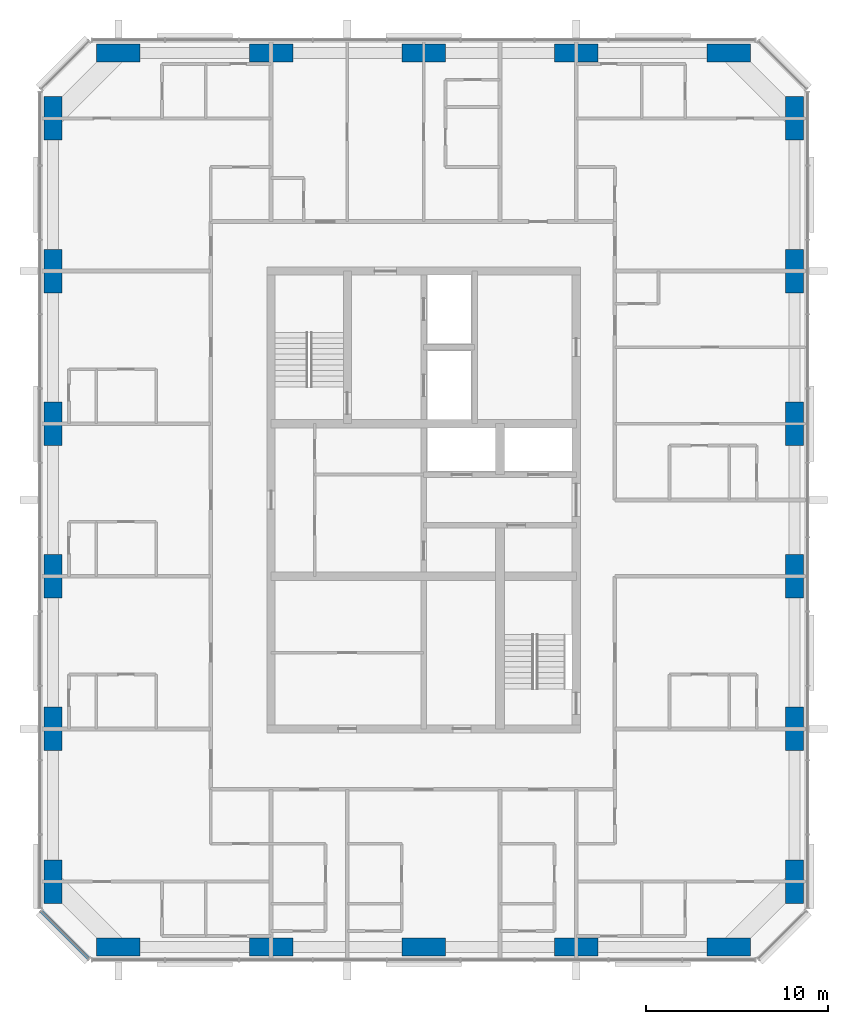
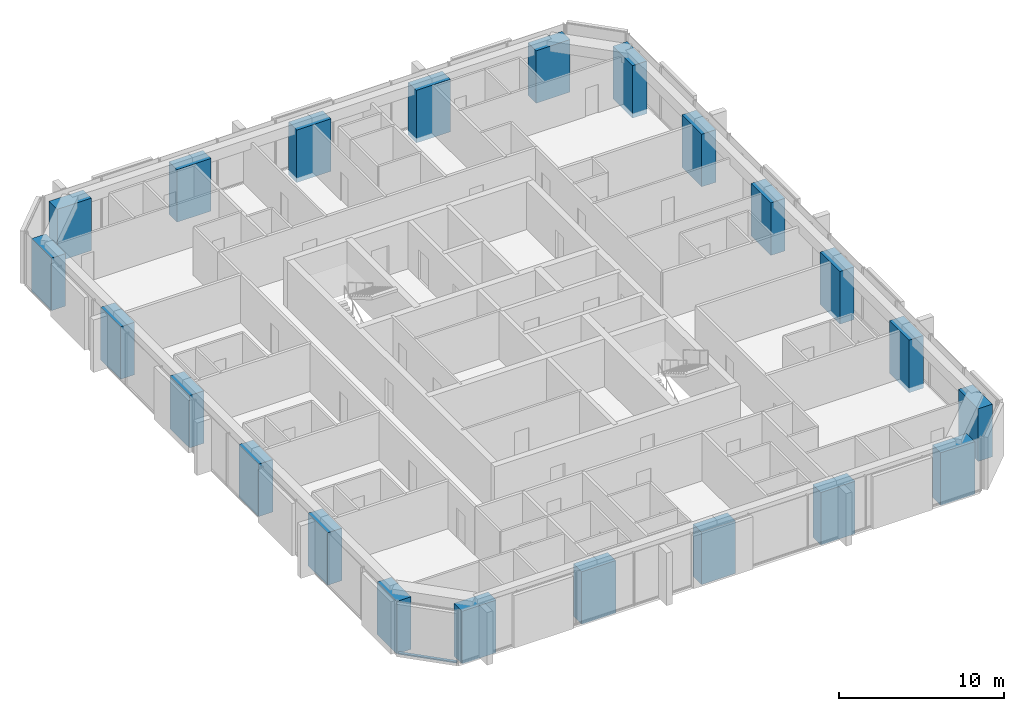
# One storey, part 1 of 12: 22 columns, 1 member, 1 element without a shape of its own.
"""IFC4 building model written with IfcOpenShell, lengths in metres."""

from ifc_helpers import new_model, si_unit, direction, frame, origin, origin_2d, place, context, subcontext, project, spatial, rectangle, extrude, material, material_profile, profile_set, type_object, element, aggregate, save


model = new_model("IFC4")

# Units and contexts
model_context = context("Model", 3, precision=1e-05, world=origin(), true_north=direction((0.0, 1.0)))
body_context = subcontext(model_context, "Body", "Model", "MODEL_VIEW")
ifc_project = project(units=[si_unit("LENGTHUNIT", "METRE"), si_unit("AREAUNIT", "SQUARE_METRE"), si_unit("VOLUMEUNIT", "CUBIC_METRE"), si_unit("PLANEANGLEUNIT", "RADIAN"), si_unit("MASSUNIT", "GRAM", prefix="KILO")], contexts=[model_context])

# Site, building, storey
site_placement = place(None, origin())
site = spatial("IfcSite", under=ifc_project, at=site_placement, CompositionType="ELEMENT")
building_placement = place(site_placement, origin())
building = spatial("IfcBuilding", under=site, at=building_placement, Name="Dunama Terrace Hotel", CompositionType="ELEMENT")
storey_placement = place(building_placement, frame((0.0, 0.0, 245.10009765625)))
storey = spatial("IfcBuildingStorey", under=building, at=storey_placement, Name="L63", CompositionType="ELEMENT", Elevation=245.10009765625)

# Columns
ifc_material_1 = material(Name="Concrete C50/60", Category="concrete")
ifc_material_profile_1 = material_profile(ifc_material_1, rectangle(XDim=1.0, YDim=2.39990234375, at=origin_2d()), Name="RC 1000x2400")
ifc_profile_set_1 = profile_set([ifc_material_profile_1], Name="Concrete C50/60")
column_type_1 = type_object("IfcColumnType", Name="Column RC 1000x2400", PredefinedType="COLUMN", material=ifc_profile_set_1)
for number, where, z_axis, x_axis, name in (
    (1, (13.199951171875, 8.39990234375, -0.35009765625), (0.0, 0.0, 1.0), (1.0, 0.0, 0.0), "Column L63 +13.2/+8.4"),
    (2, (13.199951171875, 16.800048828125, -0.35009765625), (0.0, 0.0, 1.0), (1.0, 0.0, 0.0), "Column L63 +13.2/+16.8"),
    (3, (13.199951171875, 25.199951171875, -0.35009765625), (0.0, 0.0, 1.0), (1.0, 0.0, 0.0), "Column L63 +13.2/+25.2"),
    (4, (13.199951171875, 33.60009765625, -0.35009765625), (0.0, 0.0, 1.0), (1.0, 0.0, 0.0), "Column L63 +13.2/+33.6"),
    (5, (13.199951171875, 42.0, -0.35009765625), (0.0, 0.0, 1.0), (1.0, 0.0, 0.0), "Column L63 +13.2/+42.0"),
    (6, (13.199951171875, 50.39990234375, -0.35009765625), (0.0, 0.0, 1.0), (1.0, 0.0, 0.0), "Column L63 +13.2/+50.4"),
    (7, (54.0, 8.39990234375, -0.35009765625), (0.0, 0.0, 1.0), (1.0, 0.0, 0.0), "Column L63 +54.0/+8.4"),
    (8, (54.0, 16.800048828125, -0.35009765625), (0.0, 0.0, 1.0), (1.0, 0.0, 0.0), "Column L63 +54.0/+16.8"),
    (9, (54.0, 25.199951171875, -0.35009765625), (0.0, 0.0, 1.0), (1.0, 0.0, 0.0), "Column L63 +54.0/+25.2"),
    (10, (54.0, 33.60009765625, -0.35009765625), (0.0, 0.0, 1.0), (1.0, 0.0, 0.0), "Column L63 +54.0/+33.6"),
    (11, (54.0, 42.0, -0.35009765625), (0.0, 0.0, 1.0), (1.0, 0.0, 0.0), "Column L63 +54.0/+42.0"),
    (12, (54.0, 50.39990234375, -0.35009765625), (0.0, 0.0, 1.0), (1.0, 0.0, 0.0), "Column L63 +54.0/+50.4"),
):
    element("IfcColumn", number, at=place(storey_placement, frame(where, z_axis=z_axis, x_axis=x_axis)), inside=storey, type_object=column_type_1, Name=name, PredefinedType="COLUMN", context=body_context, shape_type="SweptSolid", body=[
        extrude(rectangle(XDim=1.0, YDim=2.39990234375, at=origin_2d()), origin(), (0.0, 0.0, 1.0), 3.89990234375),
    ])
ifc_material_2 = material(Name="Concrete C50/60", Category="concrete")
ifc_material_profile_2 = material_profile(ifc_material_2, rectangle(XDim=2.39990234375, YDim=1.0, at=origin_2d()), Name="RC 2400x1000")
ifc_profile_set_2 = profile_set([ifc_material_profile_2], Name="Concrete C50/60")
column_type_2 = type_object("IfcColumnType", Name="Column RC 2400x1000", PredefinedType="COLUMN", material=ifc_profile_set_2)
for number, where, z_axis, x_axis, name in (
    (13, (16.800048828125, 4.800048828125, -0.35009765625), (0.0, 0.0, 1.0), (1.0, 0.0, 0.0), "Column L63 +16.8/+4.8"),
    (14, (16.800048828125, 54.0, -0.35009765625), (0.0, 0.0, 1.0), (1.0, 0.0, 0.0), "Column L63 +16.8/+54.0"),
    (15, (25.199951171875, 4.800048828125, -0.35009765625), (0.0, 0.0, 1.0), (1.0, 0.0, 0.0), "Column L63 +25.2/+4.8"),
    (16, (25.199951171875, 54.0, -0.35009765625), (0.0, 0.0, 1.0), (1.0, 0.0, 0.0), "Column L63 +25.2/+54.0"),
    (17, (33.60009765625, 4.800048828125, -0.35009765625), (0.0, 0.0, 1.0), (1.0, 0.0, 0.0), "Column L63 +33.6/+4.8"),
    (18, (33.60009765625, 54.0, -0.35009765625), (0.0, 0.0, 1.0), (1.0, 0.0, 0.0), "Column L63 +33.6/+54.0"),
    (19, (42.0, 4.800048828125, -0.35009765625), (0.0, 0.0, 1.0), (1.0, 0.0, 0.0), "Column L63 +42.0/+4.8"),
    (20, (42.0, 54.0, -0.35009765625), (0.0, 0.0, 1.0), (1.0, 0.0, 0.0), "Column L63 +42.0/+54.0"),
    (21, (50.39990234375, 4.800048828125, -0.35009765625), (0.0, 0.0, 1.0), (1.0, 0.0, 0.0), "Column L63 +50.4/+4.8"),
    (22, (50.39990234375, 54.0, -0.35009765625), (0.0, 0.0, 1.0), (1.0, 0.0, 0.0), "Column L63 +50.4/+54.0"),
):
    element("IfcColumn", number, at=place(storey_placement, frame(where, z_axis=z_axis, x_axis=x_axis)), inside=storey, type_object=column_type_2, Name=name, PredefinedType="COLUMN", context=body_context, shape_type="SweptSolid", body=[
        extrude(rectangle(XDim=2.39990234375, YDim=1.0, at=origin_2d()), origin(), (0.0, 0.0, 1.0), 3.89990234375),
    ])

# Curtain wall, member
ifc_material_3 = material(Name="Aluminium curtain wall system", Category="aluminium")
curtain_wall_type = type_object("IfcCurtainWallType", Name="Unitised fritted glass wall CW-D", PredefinedType="NOTDEFINED", material=ifc_material_3)
curtain_wall_placement = place(storey_placement, origin())
curtain_wall = element("IfcCurtainWall", 23, at=curtain_wall_placement, inside=storey, type_object=curtain_wall_type, Name="Unitised fritted glass wall CW-D L63", PredefinedType="NOTDEFINED")
ifc_material_4 = material(Name="Aluminium transom", Category="aluminium")
ifc_material_profile_3 = material_profile(ifc_material_4, rectangle(XDim=0.199951171875, YDim=0.0849609375, at=origin_2d()), Name="CWD TRANSOM 200X85")
ifc_profile_set_3 = profile_set([ifc_material_profile_3], Name="Aluminium transom")
member_type = type_object("IfcMemberType", Name="CWD transom 200x85", PredefinedType="USERDEFINED", material=ifc_profile_set_3)
member_placement = place(storey_placement, frame((12.56494140625, 6.76611328125, 0.04248046875), z_axis=(0.707106781187, -0.707106781187, 0.0), x_axis=(0.707106781187, 0.707106781187, 0.0)))
member = element("IfcMember", 24, at=member_placement, type_object=member_type, Name="CWD transom", ObjectType="TRANSOM", PredefinedType="USERDEFINED", context=body_context, shape_type="SweptSolid", body=[
    extrude(rectangle(XDim=0.199951171875, YDim=0.0849609375, at=origin_2d()), origin(), (0.0, 0.0, 1.0), 3.678466796875),
])
aggregate(curtain_wall, [member])

save(model, "model.ifc")
